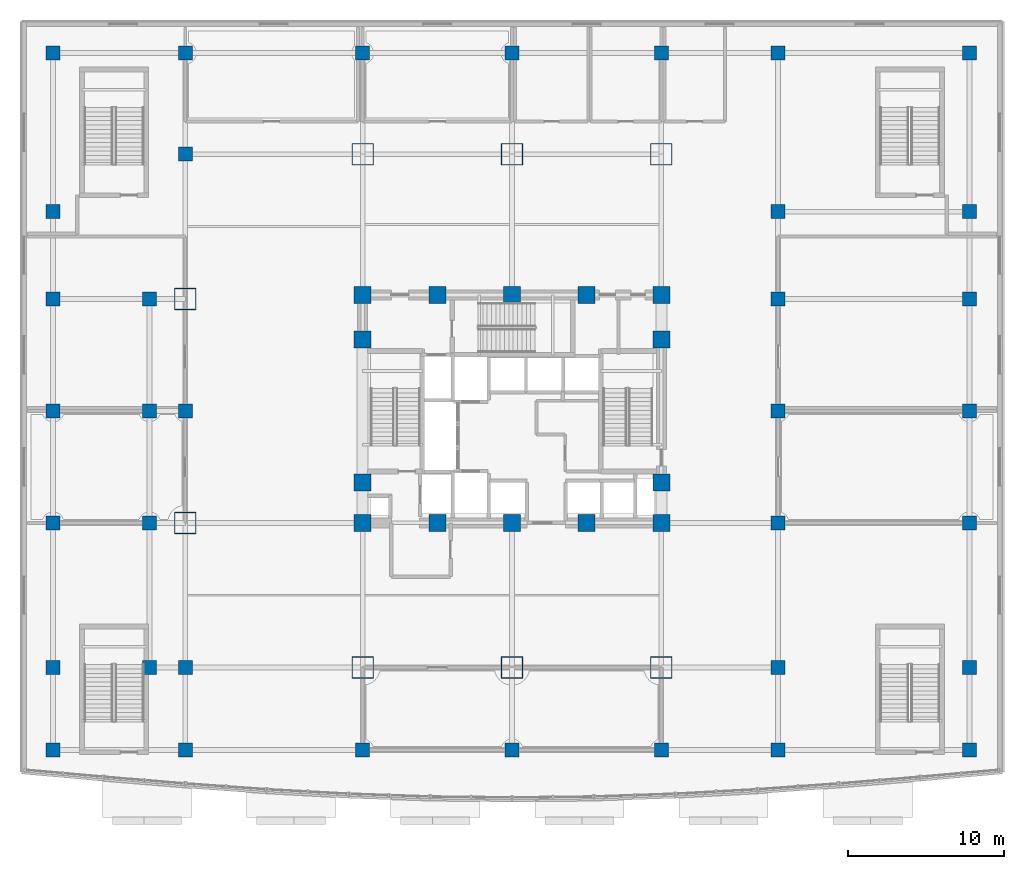
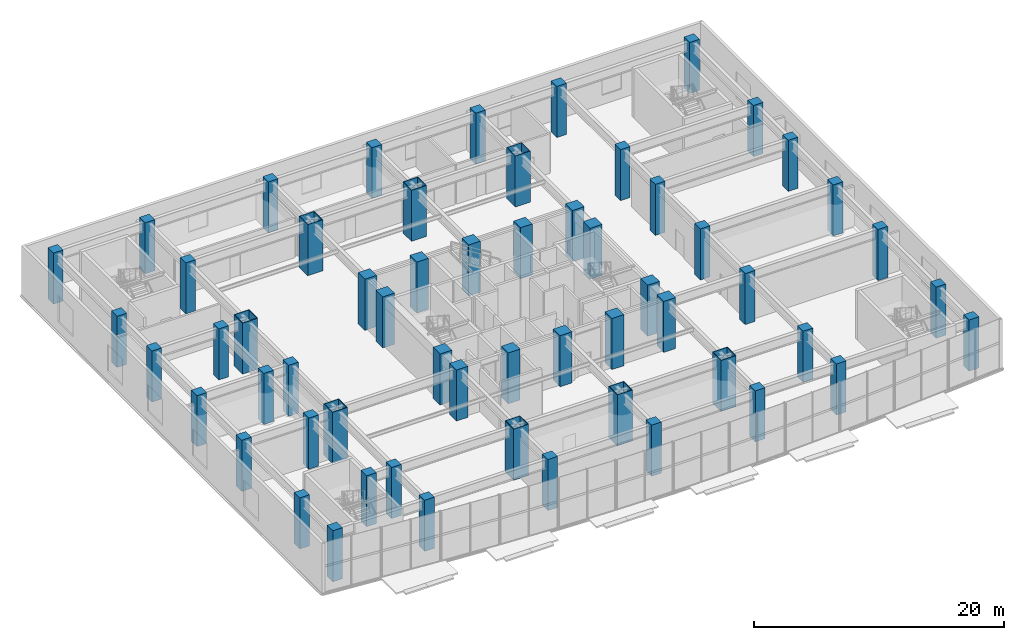
# One storey, part 1 of 24: 58 columns.
"""IFC4 building model written with IfcOpenShell, lengths in metres."""

from ifc_helpers import new_model, si_unit, direction, frame, origin, origin_2d, place, context, subcontext, project, spatial, rectangle, hollow_rectangle, extrude, material, material_profile, profile_set, type_object, element, save


model = new_model("IFC4")

# Units and contexts
model_context = context("Model", 3, precision=1e-05, world=origin(), true_north=direction((0.0, 1.0)))
body_context = subcontext(model_context, "Body", "Model", "MODEL_VIEW")
ifc_project = project(units=[si_unit("LENGTHUNIT", "METRE"), si_unit("AREAUNIT", "SQUARE_METRE"), si_unit("VOLUMEUNIT", "CUBIC_METRE"), si_unit("PLANEANGLEUNIT", "RADIAN"), si_unit("MASSUNIT", "GRAM", prefix="KILO")], contexts=[model_context])

# Site, building, storey
site_placement = place(None, origin())
site = spatial("IfcSite", under=ifc_project, at=site_placement, CompositionType="ELEMENT")
building_placement = place(site_placement, origin())
building = spatial("IfcBuilding", under=site, at=building_placement, Name="Vantalir Tower", CompositionType="ELEMENT")
storey_placement = place(building_placement, frame((0.0, 0.0, 6.0)))
storey = spatial("IfcBuildingStorey", under=building, at=storey_placement, Name="L01", CompositionType="ELEMENT", Elevation=6.0)

# Columns
ifc_material_1 = material(Name="Concrete C60/75", Category="concrete")
ifc_material_profile_1 = material_profile(ifc_material_1, rectangle(XDim=1.10009765625, YDim=1.10009765625, at=origin_2d()), Name="Concrete C60/75")
ifc_profile_set_1 = profile_set([ifc_material_profile_1], Name="Concrete C60/75")
column_type_1 = type_object("IfcColumnType", Name="COL-CC-1100", PredefinedType="COLUMN", material=ifc_profile_set_1)
for number, where, z_axis, x_axis, name in (
    (1, (21.89990234375, 17.800048828125, 0.0), (0.0, 0.0, 1.0), (1.0, 0.0, 0.0), "Level 01 Core Column CC01"),
    (2, (26.699951171875, 17.800048828125, 0.0), (0.0, 0.0, 1.0), (1.0, 0.0, 0.0), "Level 01 Core Column CC02"),
    (3, (31.5, 17.800048828125, 0.0), (0.0, 0.0, 1.0), (1.0, 0.0, 0.0), "Level 01 Core Column CC03"),
    (4, (36.300048828125, 17.800048828125, 0.0), (0.0, 0.0, 1.0), (1.0, 0.0, 0.0), "Level 01 Core Column CC04"),
    (5, (41.10009765625, 17.800048828125, 0.0), (0.0, 0.0, 1.0), (1.0, 0.0, 0.0), "Level 01 Core Column CC05"),
    (6, (21.89990234375, 20.39990234375, 0.0), (0.0, 0.0, 1.0), (1.0, 0.0, 0.0), "Level 01 Core Column CC06"),
    (7, (21.89990234375, 29.60009765625, 0.0), (0.0, 0.0, 1.0), (1.0, 0.0, 0.0), "Level 01 Core Column CC07"),
    (8, (41.10009765625, 20.39990234375, 0.0), (0.0, 0.0, 1.0), (1.0, 0.0, 0.0), "Level 01 Core Column CC08"),
    (9, (41.10009765625, 29.60009765625, 0.0), (0.0, 0.0, 1.0), (1.0, 0.0, 0.0), "Level 01 Core Column CC09"),
    (10, (21.89990234375, 32.449951171875, 0.0), (0.0, 0.0, 1.0), (1.0, 0.0, 0.0), "Level 01 Core Column CC10"),
    (11, (26.699951171875, 32.449951171875, 0.0), (0.0, 0.0, 1.0), (1.0, 0.0, 0.0), "Level 01 Core Column CC11"),
    (12, (31.5, 32.449951171875, 0.0), (0.0, 0.0, 1.0), (1.0, 0.0, 0.0), "Level 01 Core Column CC12"),
    (13, (36.300048828125, 32.449951171875, 0.0), (0.0, 0.0, 1.0), (1.0, 0.0, 0.0), "Level 01 Core Column CC13"),
    (14, (41.10009765625, 32.449951171875, 0.0), (0.0, 0.0, 1.0), (1.0, 0.0, 0.0), "Level 01 Core Column CC14"),
):
    element("IfcColumn", number, at=place(storey_placement, frame(where, z_axis=z_axis, x_axis=x_axis)), inside=storey, type_object=column_type_1, Name=name, PredefinedType="COLUMN", context=body_context, shape_type="SweptSolid", body=[
        extrude(rectangle(XDim=1.10009765625, YDim=1.10009765625, at=origin_2d()), origin(), (0.0, 0.0, 1.0), 5.0),
    ])
ifc_material_2 = material(Name="Steel S460", Category="steel")
ifc_material_profile_2 = material_profile(ifc_material_2, hollow_rectangle(XDim=1.39990234375, YDim=1.39990234375, WallThickness=0.050048828125, at=origin_2d()), Name="Steel S460")
ifc_profile_set_2 = profile_set([ifc_material_profile_2], Name="Steel S460")
column_type_2 = type_object("IfcColumnType", Name="COL-MC-1400", PredefinedType="COLUMN", material=ifc_profile_set_2)
for number, where, z_axis, x_axis, name in (
    (15, (21.89990234375, 8.5, 0.0), (0.0, 0.0, 1.0), (1.0, 0.0, 0.0), "Level 01 S460 Mega-Column MC01"),
    (16, (31.5, 8.5, 0.0), (0.0, 0.0, 1.0), (1.0, 0.0, 0.0), "Level 01 S460 Mega-Column MC02"),
    (17, (41.10009765625, 8.5, 0.0), (0.0, 0.0, 1.0), (1.0, 0.0, 0.0), "Level 01 S460 Mega-Column MC03"),
    (18, (10.5, 17.800048828125, 0.0), (0.0, 0.0, 1.0), (1.0, 0.0, 0.0), "Level 01 S460 Mega-Column MC04"),
    (19, (10.5, 32.199951171875, 0.0), (0.0, 0.0, 1.0), (1.0, 0.0, 0.0), "Level 01 S460 Mega-Column MC05"),
    (20, (21.89990234375, 41.5, 0.0), (0.0, 0.0, 1.0), (1.0, 0.0, 0.0), "Level 01 S460 Mega-Column MC06"),
    (21, (31.5, 41.5, 0.0), (0.0, 0.0, 1.0), (1.0, 0.0, 0.0), "Level 01 S460 Mega-Column MC07"),
    (22, (41.10009765625, 41.5, 0.0), (0.0, 0.0, 1.0), (1.0, 0.0, 0.0), "Level 01 S460 Mega-Column MC08"),
):
    element("IfcColumn", number, at=place(storey_placement, frame(where, z_axis=z_axis, x_axis=x_axis)), inside=storey, type_object=column_type_2, Name=name, PredefinedType="COLUMN", context=body_context, shape_type="SweptSolid", body=[
        extrude(hollow_rectangle(XDim=1.39990234375, YDim=1.39990234375, WallThickness=0.050048828125, at=origin_2d()), origin(), (0.0, 0.0, 1.0), 5.0),
    ])
ifc_material_profile_3 = material_profile(ifc_material_1, rectangle(XDim=0.89990234375, YDim=0.89990234375, at=origin_2d()), Name="Concrete C60/75")
ifc_profile_set_3 = profile_set([ifc_material_profile_3], Name="Concrete C60/75")
column_type_3 = type_object("IfcColumnType", Name="COL-PC-900", PredefinedType="COLUMN", material=ifc_profile_set_3)
for number, where, z_axis, x_axis, name in (
    (23, (2.0, 3.199951171875, 0.0), (0.0, 0.0, 1.0), (1.0, 0.0, 0.0), "Level 01 Podium Column PC01"),
    (24, (8.199951171875, 8.5, 0.0), (0.0, 0.0, 1.0), (1.0, 0.0, 0.0), "Level 01 Podium Column PC02"),
    (25, (8.199951171875, 17.800048828125, 0.0), (0.0, 0.0, 1.0), (1.0, 0.0, 0.0), "Level 01 Podium Column PC03"),
    (26, (8.199951171875, 25.0, 0.0), (0.0, 0.0, 1.0), (1.0, 0.0, 0.0), "Level 01 Podium Column PC04"),
    (27, (8.199951171875, 32.199951171875, 0.0), (0.0, 0.0, 1.0), (1.0, 0.0, 0.0), "Level 01 Podium Column PC05"),
    (28, (2.0, 37.800048828125, 0.0), (0.0, 0.0, 1.0), (1.0, 0.0, 0.0), "Level 01 Podium Column PC06"),
    (29, (2.0, 48.0, 0.0), (0.0, 0.0, 1.0), (1.0, 0.0, 0.0), "Level 01 Podium Column PC07"),
    (30, (2.0, 8.5, 0.0), (0.0, 0.0, 1.0), (1.0, 0.0, 0.0), "Level 01 Podium Column PC08"),
    (31, (2.0, 17.800048828125, 0.0), (0.0, 0.0, 1.0), (1.0, 0.0, 0.0), "Level 01 Podium Column PC09"),
    (32, (2.0, 25.0, 0.0), (0.0, 0.0, 1.0), (1.0, 0.0, 0.0), "Level 01 Podium Column PC10"),
    (33, (2.0, 32.199951171875, 0.0), (0.0, 0.0, 1.0), (1.0, 0.0, 0.0), "Level 01 Podium Column PC11"),
    (34, (10.5, 3.199951171875, 0.0), (0.0, 0.0, 1.0), (1.0, 0.0, 0.0), "Level 01 Podium Column PC12"),
    (35, (10.5, 8.5, 0.0), (0.0, 0.0, 1.0), (1.0, 0.0, 0.0), "Level 01 Podium Column PC13"),
    (36, (10.5, 25.0, 0.0), (0.0, 0.0, 1.0), (1.0, 0.0, 0.0), "Level 01 Podium Column PC14"),
    (37, (10.5, 41.5, 0.0), (0.0, 0.0, 1.0), (1.0, 0.0, 0.0), "Level 01 Podium Column PC15"),
    (38, (10.5, 48.0, 0.0), (0.0, 0.0, 1.0), (1.0, 0.0, 0.0), "Level 01 Podium Column PC16"),
    (39, (21.89990234375, 3.199951171875, 0.0), (0.0, 0.0, 1.0), (1.0, 0.0, 0.0), "Level 01 Podium Column PC17"),
    (40, (31.5, 3.199951171875, 0.0), (0.0, 0.0, 1.0), (1.0, 0.0, 0.0), "Level 01 Podium Column PC18"),
    (41, (41.10009765625, 3.199951171875, 0.0), (0.0, 0.0, 1.0), (1.0, 0.0, 0.0), "Level 01 Podium Column PC19"),
    (42, (48.60009765625, 3.199951171875, 0.0), (0.0, 0.0, 1.0), (1.0, 0.0, 0.0), "Level 01 Podium Column PC20"),
    (43, (48.60009765625, 8.5, 0.0), (0.0, 0.0, 1.0), (1.0, 0.0, 0.0), "Level 01 Podium Column PC21"),
    (44, (21.89990234375, 48.0, 0.0), (0.0, 0.0, 1.0), (1.0, 0.0, 0.0), "Level 01 Podium Column PC22"),
    (45, (31.5, 48.0, 0.0), (0.0, 0.0, 1.0), (1.0, 0.0, 0.0), "Level 01 Podium Column PC23"),
    (46, (41.10009765625, 48.0, 0.0), (0.0, 0.0, 1.0), (1.0, 0.0, 0.0), "Level 01 Podium Column PC24"),
    (47, (48.60009765625, 48.0, 0.0), (0.0, 0.0, 1.0), (1.0, 0.0, 0.0), "Level 01 Podium Column PC25"),
    (48, (48.60009765625, 17.800048828125, 0.0), (0.0, 0.0, 1.0), (1.0, 0.0, 0.0), "Level 01 Podium Column PC26"),
    (49, (48.60009765625, 25.0, 0.0), (0.0, 0.0, 1.0), (1.0, 0.0, 0.0), "Level 01 Podium Column PC27"),
    (50, (48.60009765625, 32.199951171875, 0.0), (0.0, 0.0, 1.0), (1.0, 0.0, 0.0), "Level 01 Podium Column PC28"),
    (51, (48.60009765625, 37.800048828125, 0.0), (0.0, 0.0, 1.0), (1.0, 0.0, 0.0), "Level 01 Podium Column PC29"),
    (52, (60.89990234375, 3.199951171875, 0.0), (0.0, 0.0, 1.0), (1.0, 0.0, 0.0), "Level 01 Podium Column PC30"),
    (53, (60.89990234375, 8.5, 0.0), (0.0, 0.0, 1.0), (1.0, 0.0, 0.0), "Level 01 Podium Column PC31"),
    (54, (60.89990234375, 17.800048828125, 0.0), (0.0, 0.0, 1.0), (1.0, 0.0, 0.0), "Level 01 Podium Column PC32"),
    (55, (60.89990234375, 25.0, 0.0), (0.0, 0.0, 1.0), (1.0, 0.0, 0.0), "Level 01 Podium Column PC33"),
    (56, (60.89990234375, 32.199951171875, 0.0), (0.0, 0.0, 1.0), (1.0, 0.0, 0.0), "Level 01 Podium Column PC34"),
    (57, (60.89990234375, 37.800048828125, 0.0), (0.0, 0.0, 1.0), (1.0, 0.0, 0.0), "Level 01 Podium Column PC35"),
    (58, (60.89990234375, 48.0, 0.0), (0.0, 0.0, 1.0), (1.0, 0.0, 0.0), "Level 01 Podium Column PC36"),
):
    element("IfcColumn", number, at=place(storey_placement, frame(where, z_axis=z_axis, x_axis=x_axis)), inside=storey, type_object=column_type_3, Name=name, PredefinedType="COLUMN", context=body_context, shape_type="SweptSolid", body=[
        extrude(rectangle(XDim=0.89990234375, YDim=0.89990234375, at=origin_2d()), origin(), (0.0, 0.0, 1.0), 5.0),
    ])

save(model, "model.ifc")
